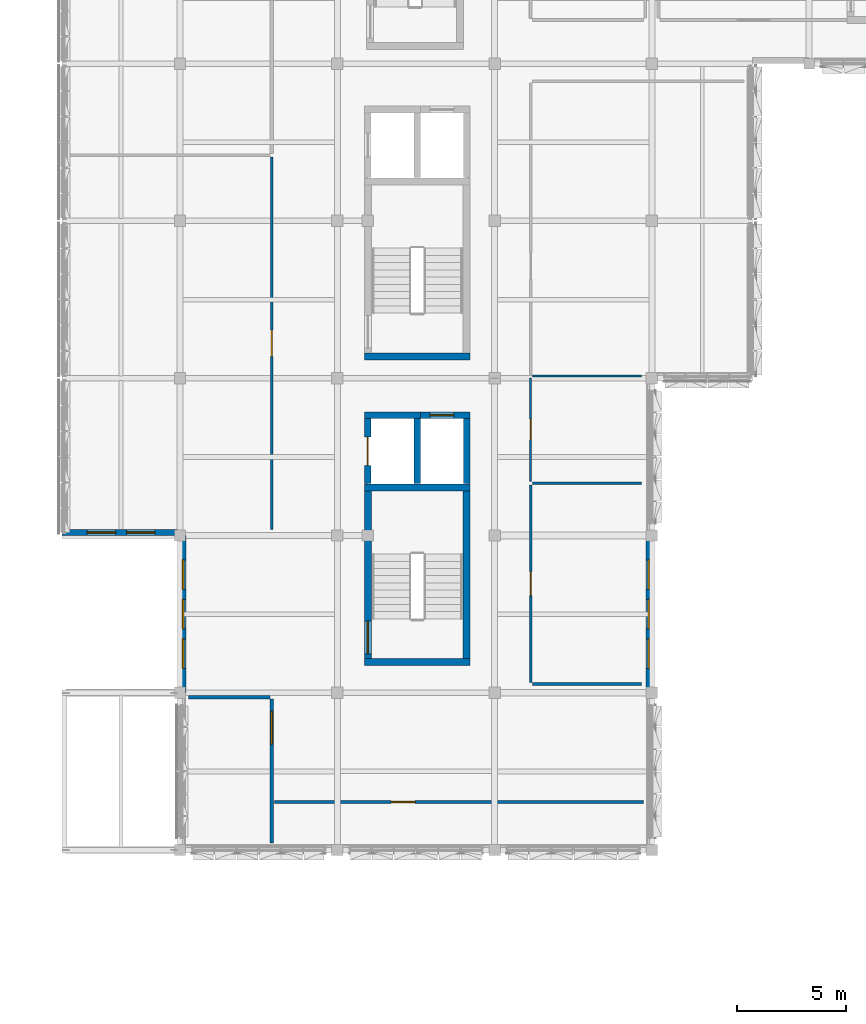
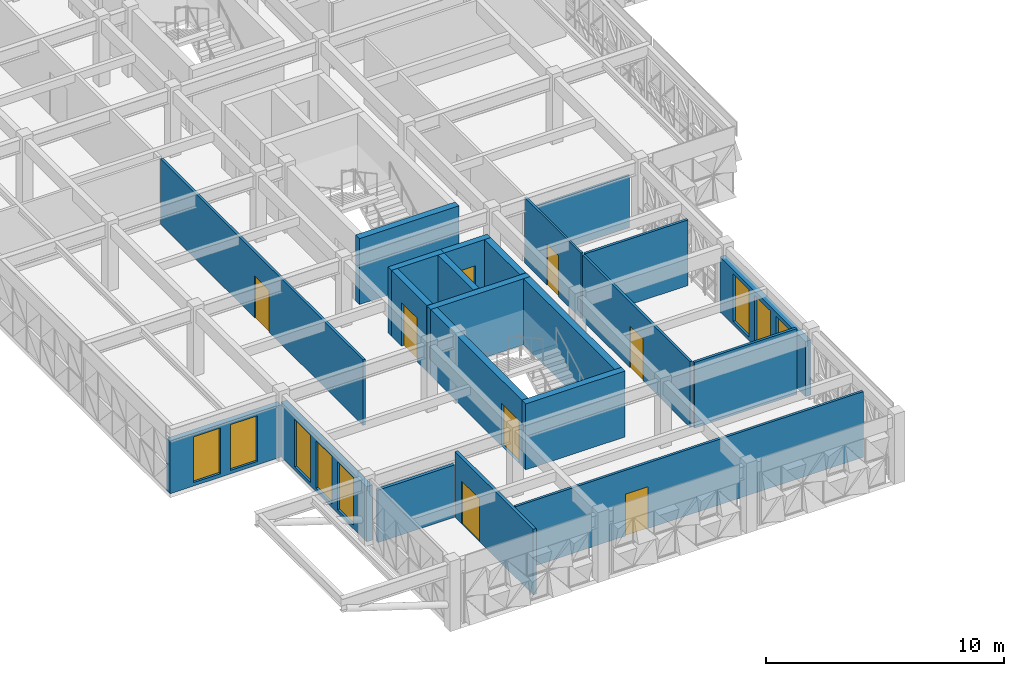
# One storey, part 30 of 48: 22 walls, 8 doors, 8 windows, 16 openings.
"""IFC4 building model written with IfcOpenShell, lengths in metres."""

from ifc_helpers import new_model, si_unit, direction, frame, frame_2d, origin, place, context, subcontext, project, spatial, rectangle, extrude, material, layer, layer_set, type_object, element, fill, save


model = new_model("IFC4")

# Units and contexts
model_context = context("Model", 3, precision=1e-05, world=origin(), true_north=direction((0.0, 1.0)))
body_context = subcontext(model_context, "Body", "Model", "MODEL_VIEW")
ifc_project = project(units=[si_unit("LENGTHUNIT", "METRE"), si_unit("AREAUNIT", "SQUARE_METRE"), si_unit("VOLUMEUNIT", "CUBIC_METRE"), si_unit("PLANEANGLEUNIT", "RADIAN"), si_unit("MASSUNIT", "GRAM", prefix="KILO")], contexts=[model_context])

# Site, building, storey
site_placement = place(None, origin())
site = spatial("IfcSite", under=ifc_project, at=site_placement, CompositionType="ELEMENT")
building_placement = place(site_placement, origin())
building = spatial("IfcBuilding", under=site, at=building_placement, Name="Alvorim Cloister Faculty of Sciences", CompositionType="ELEMENT")
storey_placement = place(building_placement, frame((0.0, 0.0, 19.35009765625)))
storey = spatial("IfcBuildingStorey", under=building, at=storey_placement, Name="L05", CompositionType="ELEMENT", Elevation=19.35009765625)

# Wall, openings, windows
ifc_material_1 = material(Name="Cross-Laminated Timber CLT C24", Category="wood")
ifc_layer_1 = layer(ifc_material_1, 0.280029296875)
ifc_layer_set_1 = layer_set([ifc_layer_1], Name="Cross-Laminated Timber CLT C24")
wall_type_1 = type_object("IfcWallType", Name="WL-EXT-TMB-280", PredefinedType="SOLIDWALL", material=ifc_layer_set_1)
wall_1_placement = place(storey_placement, frame((7.340087890625, 14.39990234375, 0.0), z_axis=(0.0, 0.0, 1.0), x_axis=(0.0, 1.0, 0.0)))
wall_1 = element("IfcWall", 1, at=wall_1_placement, inside=storey, type_object=wall_type_1, Name="L05 Exterior Wall WL-0231", PredefinedType="SOLIDWALL", context=body_context, shape_type="SweptSolid", body=[
    extrude(rectangle(XDim=7.2001953125, YDim=0.280029296875, at=frame_2d((3.60009765625, 0.0))), origin(), (0.0, 0.0, 1.0), 2.83984375),
])
opening_1_placement = place(wall_1_placement, frame((1.112548828125, 0.0, 0.179931640625)))
opening_1 = element("IfcOpeningElement", 2, at=opening_1_placement, cuts=wall_1, Name="Opening W-18", PredefinedType="OPENING", context=body_context, shape_type="SweptSolid", body=[
    extrude(rectangle(XDim=1.35009765625, YDim=2.449951171875, at=frame_2d((0.675048828125, 1.22509765625))), frame((0.0, 0.15185546875, 0.0), z_axis=(0.0, -1.0, 0.0), x_axis=(1.0, 0.0, 0.0)), (0.0, 0.0, 1.0), 0.303955078125),
])
opening_2_placement = place(wall_1_placement, frame((2.925048828125, 0.0, 0.179931640625)))
opening_2 = element("IfcOpeningElement", 3, at=opening_2_placement, cuts=wall_1, Name="Opening W-18", PredefinedType="OPENING", context=body_context, shape_type="SweptSolid", body=[
    extrude(rectangle(XDim=1.35009765625, YDim=2.449951171875, at=frame_2d((0.675048828125, 1.22509765625))), frame((0.0, 0.15185546875, 0.0), z_axis=(0.0, -1.0, 0.0), x_axis=(1.0, 0.0, 0.0)), (0.0, 0.0, 1.0), 0.303955078125),
])
opening_3_placement = place(wall_1_placement, frame((4.737548828125, 0.0, 0.179931640625)))
opening_3 = element("IfcOpeningElement", 4, at=opening_3_placement, cuts=wall_1, Name="Opening W-18", PredefinedType="OPENING", context=body_context, shape_type="SweptSolid", body=[
    extrude(rectangle(XDim=1.35009765625, YDim=2.449951171875, at=frame_2d((0.675048828125, 1.22509765625))), frame((0.0, 0.15185546875, 0.0), z_axis=(0.0, -1.0, 0.0), x_axis=(1.0, 0.0, 0.0)), (0.0, 0.0, 1.0), 0.303955078125),
])
ifc_material_2 = material(Name="Double Low-E Laminated Glass", Category="glass")
window_type_1 = type_object("IfcWindowType", Name="WN-LAB-1350x2450", PartitioningType="SINGLE_PANEL", PredefinedType="WINDOW", material=ifc_material_2)
window_1_placement = place(opening_1_placement, origin())
window_1 = element("IfcWindow", 5, at=window_1_placement, inside=storey, type_object=window_type_1, Name="L05 Full-Height Entrance Atrium Glazed Bay WN-0253", OverallHeight=2.449951171875, OverallWidth=1.35009765625, PartitioningType="SINGLE_PANEL", PredefinedType="WINDOW", context=body_context, shape_type="SweptSolid", body=[
    extrude(rectangle(XDim=1.35009765625, YDim=2.449951171875, at=frame_2d((0.675048828125, 1.22509765625))), frame((0.0, 0.030029296875, 0.0), z_axis=(0.0, -1.0, 0.0), x_axis=(1.0, 0.0, 0.0)), (0.0, 0.0, 1.0), 0.06005859375),
])
fill(opening_1, window_1)
window_2_placement = place(opening_2_placement, origin())
window_2 = element("IfcWindow", 6, at=window_2_placement, inside=storey, type_object=window_type_1, Name="L05 Full-Height Entrance Atrium Glazed Bay WN-0254", OverallHeight=2.449951171875, OverallWidth=1.35009765625, PartitioningType="SINGLE_PANEL", PredefinedType="WINDOW", context=body_context, shape_type="SweptSolid", body=[
    extrude(rectangle(XDim=1.35009765625, YDim=2.449951171875, at=frame_2d((0.675048828125, 1.22509765625))), frame((0.0, 0.030029296875, 0.0), z_axis=(0.0, -1.0, 0.0), x_axis=(1.0, 0.0, 0.0)), (0.0, 0.0, 1.0), 0.06005859375),
])
fill(opening_2, window_2)
window_3_placement = place(opening_3_placement, origin())
window_3 = element("IfcWindow", 7, at=window_3_placement, inside=storey, type_object=window_type_1, Name="L05 Full-Height Entrance Atrium Glazed Bay WN-0255", OverallHeight=2.449951171875, OverallWidth=1.35009765625, PartitioningType="SINGLE_PANEL", PredefinedType="WINDOW", context=body_context, shape_type="SweptSolid", body=[
    extrude(rectangle(XDim=1.35009765625, YDim=2.449951171875, at=frame_2d((0.675048828125, 1.22509765625))), frame((0.0, 0.030029296875, 0.0), z_axis=(0.0, -1.0, 0.0), x_axis=(1.0, 0.0, 0.0)), (0.0, 0.0, 1.0), 0.06005859375),
])
fill(opening_3, window_3)

wall_2_placement = place(storey_placement, frame((1.800048828125, 21.739990234375, 0.0), z_axis=(0.0, 0.0, 1.0), x_axis=(1.0, 0.0, 0.0)))
wall_2 = element("IfcWall", 8, at=wall_2_placement, inside=storey, type_object=wall_type_1, Name="L05 Exterior Wall WL-0232", PredefinedType="SOLIDWALL", context=body_context, shape_type="SweptSolid", body=[
    extrude(rectangle(XDim=5.39990234375, YDim=0.280029296875, at=frame_2d((2.699951171875, 0.0))), origin(), (0.0, 0.0, 1.0), 2.69580078125),
])
opening_4_placement = place(wall_2_placement, frame((1.14990234375, 0.0, 0.179931640625)))
opening_4 = element("IfcOpeningElement", 9, at=opening_4_placement, cuts=wall_2, Name="Opening W-21", PredefinedType="OPENING", context=body_context, shape_type="SweptSolid", body=[
    extrude(rectangle(XDim=1.300048828125, YDim=2.35009765625, at=frame_2d((0.64990234375, 1.175048828125))), frame((0.0, 0.15185546875, 0.0), z_axis=(0.0, -1.0, 0.0), x_axis=(1.0, 0.0, 0.0)), (0.0, 0.0, 1.0), 0.303955078125),
])
opening_5_placement = place(wall_2_placement, frame((2.949951171875, 0.0, 0.179931640625)))
opening_5 = element("IfcOpeningElement", 10, at=opening_5_placement, cuts=wall_2, Name="Opening W-21", PredefinedType="OPENING", context=body_context, shape_type="SweptSolid", body=[
    extrude(rectangle(XDim=1.300048828125, YDim=2.35009765625, at=frame_2d((0.64990234375, 1.175048828125))), frame((0.0, 0.15185546875, 0.0), z_axis=(0.0, -1.0, 0.0), x_axis=(1.0, 0.0, 0.0)), (0.0, 0.0, 1.0), 0.303955078125),
])
window_type_2 = type_object("IfcWindowType", Name="WN-OFF-1300x2350", PartitioningType="SINGLE_PANEL", PredefinedType="WINDOW", material=ifc_material_2)
window_4_placement = place(opening_4_placement, origin())
window_4 = element("IfcWindow", 11, at=window_4_placement, inside=storey, type_object=window_type_2, Name="L05 Full-Height Entrance Atrium Glazed Bay WN-0256", OverallHeight=2.35009765625, OverallWidth=1.300048828125, PartitioningType="SINGLE_PANEL", PredefinedType="WINDOW", context=body_context, shape_type="SweptSolid", body=[
    extrude(rectangle(XDim=1.300048828125, YDim=2.35009765625, at=frame_2d((0.64990234375, 1.175048828125))), frame((0.0, 0.030029296875, 0.0), z_axis=(0.0, -1.0, 0.0), x_axis=(1.0, 0.0, 0.0)), (0.0, 0.0, 1.0), 0.06005859375),
])
fill(opening_4, window_4)
window_5_placement = place(opening_5_placement, origin())
window_5 = element("IfcWindow", 12, at=window_5_placement, inside=storey, type_object=window_type_2, Name="L05 Full-Height Entrance Atrium Glazed Bay WN-0257", OverallHeight=2.35009765625, OverallWidth=1.300048828125, PartitioningType="SINGLE_PANEL", PredefinedType="WINDOW", context=body_context, shape_type="SweptSolid", body=[
    extrude(rectangle(XDim=1.300048828125, YDim=2.35009765625, at=frame_2d((0.64990234375, 1.175048828125))), frame((0.0, 0.030029296875, 0.0), z_axis=(0.0, -1.0, 0.0), x_axis=(1.0, 0.0, 0.0)), (0.0, 0.0, 1.0), 0.06005859375),
])
fill(opening_5, window_5)

wall_3_placement = place(storey_placement, frame((28.659912109375, 14.39990234375, 0.0), z_axis=(0.0, 0.0, 1.0), x_axis=(0.0, 1.0, 0.0)))
wall_3 = element("IfcWall", 13, at=wall_3_placement, inside=storey, type_object=wall_type_1, Name="L05 Exterior Wall WL-0234", PredefinedType="SOLIDWALL", context=body_context, shape_type="SweptSolid", body=[
    extrude(rectangle(XDim=7.2001953125, YDim=0.280029296875, at=frame_2d((3.60009765625, 0.0))), origin(), (0.0, 0.0, 1.0), 2.83984375),
])
opening_6_placement = place(wall_3_placement, frame((1.112548828125, 0.0, 0.179931640625)))
opening_6 = element("IfcOpeningElement", 14, at=opening_6_placement, cuts=wall_3, Name="Opening W-18", PredefinedType="OPENING", context=body_context, shape_type="SweptSolid", body=[
    extrude(rectangle(XDim=1.35009765625, YDim=2.449951171875, at=frame_2d((0.675048828125, 1.22509765625))), frame((0.0, 0.15185546875, 0.0), z_axis=(0.0, -1.0, 0.0), x_axis=(1.0, 0.0, 0.0)), (0.0, 0.0, 1.0), 0.303955078125),
])
opening_7_placement = place(wall_3_placement, frame((2.925048828125, 0.0, 0.179931640625)))
opening_7 = element("IfcOpeningElement", 15, at=opening_7_placement, cuts=wall_3, Name="Opening W-18", PredefinedType="OPENING", context=body_context, shape_type="SweptSolid", body=[
    extrude(rectangle(XDim=1.35009765625, YDim=2.449951171875, at=frame_2d((0.675048828125, 1.22509765625))), frame((0.0, 0.15185546875, 0.0), z_axis=(0.0, -1.0, 0.0), x_axis=(1.0, 0.0, 0.0)), (0.0, 0.0, 1.0), 0.303955078125),
])
opening_8_placement = place(wall_3_placement, frame((4.737548828125, 0.0, 0.179931640625)))
opening_8 = element("IfcOpeningElement", 16, at=opening_8_placement, cuts=wall_3, Name="Opening W-18", PredefinedType="OPENING", context=body_context, shape_type="SweptSolid", body=[
    extrude(rectangle(XDim=1.35009765625, YDim=2.449951171875, at=frame_2d((0.675048828125, 1.22509765625))), frame((0.0, 0.15185546875, 0.0), z_axis=(0.0, -1.0, 0.0), x_axis=(1.0, 0.0, 0.0)), (0.0, 0.0, 1.0), 0.303955078125),
])
window_6_placement = place(opening_6_placement, origin())
window_6 = element("IfcWindow", 17, at=window_6_placement, inside=storey, type_object=window_type_1, Name="L05 Full-Height Entrance Atrium Glazed Bay WN-0258", OverallHeight=2.449951171875, OverallWidth=1.35009765625, PartitioningType="SINGLE_PANEL", PredefinedType="WINDOW", context=body_context, shape_type="SweptSolid", body=[
    extrude(rectangle(XDim=1.35009765625, YDim=2.449951171875, at=frame_2d((0.675048828125, 1.22509765625))), frame((0.0, 0.030029296875, 0.0), z_axis=(0.0, -1.0, 0.0), x_axis=(1.0, 0.0, 0.0)), (0.0, 0.0, 1.0), 0.06005859375),
])
fill(opening_6, window_6)
window_7_placement = place(opening_7_placement, origin())
window_7 = element("IfcWindow", 18, at=window_7_placement, inside=storey, type_object=window_type_1, Name="L05 Full-Height Entrance Atrium Glazed Bay WN-0259", OverallHeight=2.449951171875, OverallWidth=1.35009765625, PartitioningType="SINGLE_PANEL", PredefinedType="WINDOW", context=body_context, shape_type="SweptSolid", body=[
    extrude(rectangle(XDim=1.35009765625, YDim=2.449951171875, at=frame_2d((0.675048828125, 1.22509765625))), frame((0.0, 0.030029296875, 0.0), z_axis=(0.0, -1.0, 0.0), x_axis=(1.0, 0.0, 0.0)), (0.0, 0.0, 1.0), 0.06005859375),
])
fill(opening_7, window_7)
window_8_placement = place(opening_8_placement, origin())
window_8 = element("IfcWindow", 19, at=window_8_placement, inside=storey, type_object=window_type_1, Name="L05 Full-Height Entrance Atrium Glazed Bay WN-0260", OverallHeight=2.449951171875, OverallWidth=1.35009765625, PartitioningType="SINGLE_PANEL", PredefinedType="WINDOW", context=body_context, shape_type="SweptSolid", body=[
    extrude(rectangle(XDim=1.35009765625, YDim=2.449951171875, at=frame_2d((0.675048828125, 1.22509765625))), frame((0.0, 0.030029296875, 0.0), z_axis=(0.0, -1.0, 0.0), x_axis=(1.0, 0.0, 0.0)), (0.0, 0.0, 1.0), 0.06005859375),
])
fill(opening_8, window_8)

# Wall, opening, door
ifc_material_3 = material(Name="Moisture-Resistant Tile Stud Partition", Category="gypsum")
ifc_layer_2 = layer(ifc_material_3, 0.10009765625)
ifc_layer_set_2 = layer_set([ifc_layer_2], Name="Moisture-Resistant Tile Stud Partition")
wall_type_2 = type_object("IfcWallType", Name="WL-PRT-100", PredefinedType="PARTITIONING", material=ifc_layer_set_2)
wall_4_placement = place(storey_placement, frame((23.25, 24.080078125, 0.0), z_axis=(0.0, 0.0, 1.0), x_axis=(0.0, 1.0, 0.0)))
wall_4 = element("IfcWall", 20, at=wall_4_placement, inside=storey, type_object=wall_type_2, Name="L05 L05 Accessible WCs Partition IWL-0656", PredefinedType="PARTITIONING", context=body_context, shape_type="SweptSolid", body=[
    extrude(rectangle(XDim=4.739990234375, YDim=0.10009765625, at=frame_2d((2.3701171875, 0.0))), origin(), (0.0, 0.0, 1.0), 3.375),
])
opening_9_placement = place(wall_4_placement, frame((1.89501953125, 0.0, 0.0)))
opening_9 = element("IfcOpeningElement", 21, at=opening_9_placement, cuts=wall_4, Name="Opening D-L05-189", PredefinedType="OPENING", context=body_context, shape_type="SweptSolid", body=[
    extrude(rectangle(XDim=0.949951171875, YDim=2.10009765625, at=frame_2d((0.47509765625, 1.050048828125))), frame((0.0, 0.06201171875, 0.0), z_axis=(0.0, -1.0, 0.0), x_axis=(1.0, 0.0, 0.0)), (0.0, 0.0, 1.0), 0.1240234375),
])
ifc_material_4 = material(Name="Moisture-Resistant Laminate Timber", Category="wood")
door_type_1 = type_object("IfcDoorType", Name="DR-WC-950x2100", OperationType="NOTDEFINED", PredefinedType="DOOR", material=ifc_material_4)
door_1_placement = place(opening_9_placement, origin())
door_1 = element("IfcDoor", 22, at=door_1_placement, inside=storey, type_object=door_type_1, Name="L05 Accessible WCs Door D-L05-189", OperationType="SINGLE_SWING_LEFT", OverallHeight=2.10009765625, OverallWidth=0.949951171875, PredefinedType="DOOR", context=body_context, shape_type="SweptSolid", body=[
    extrude(rectangle(XDim=0.949951171875, YDim=2.10009765625, at=frame_2d((0.47509765625, 1.050048828125))), frame((0.0, 0.02490234375, 0.0), z_axis=(0.0, -1.0, 0.0), x_axis=(1.0, 0.0, 0.0)), (0.0, 0.0, 1.0), 0.050048828125),
])
fill(opening_9, door_1)

# Wall
wall_5_placement = place(storey_placement, frame((23.330078125, 28.89990234375, 0.0), z_axis=(0.0, 0.0, 1.0), x_axis=(1.0, 0.0, 0.0)))
element("IfcWall", 23, at=wall_5_placement, inside=storey, type_object=wall_type_2, Name="L05 L05 Accessible WCs Partition IWL-0657", PredefinedType="PARTITIONING", context=body_context, shape_type="SweptSolid", body=[
    extrude(rectangle(XDim=4.989990234375, YDim=0.10009765625, at=frame_2d((2.4951171875, 0.0))), origin(), (0.0, 0.0, 1.0), 2.69091796875),
])

# Wall, opening, door
ifc_material_5 = material(Name="Acoustic Gypsum Stud Partition", Category="gypsum")
ifc_layer_3 = layer(ifc_material_5, 0.1201171875)
ifc_layer_set_3 = layer_set([ifc_layer_3], Name="Acoustic Gypsum Stud Partition")
wall_type_3 = type_object("IfcWallType", Name="WL-PRT-120", PredefinedType="PARTITIONING", material=ifc_layer_set_3)
wall_6_placement = place(storey_placement, frame((11.514892578125, 9.39990234375, 0.0), z_axis=(0.0, 0.0, 1.0), x_axis=(1.0, 0.0, 0.0)))
wall_6 = element("IfcWall", 24, at=wall_6_placement, inside=storey, type_object=wall_type_3, Name="L05 South Bar Faculty Study Rooms Partition IWL-0649", PredefinedType="PARTITIONING", context=body_context, shape_type="SweptSolid", body=[
    extrude(rectangle(XDim=16.905029296875, YDim=0.1201171875, at=frame_2d((8.45263671875, 0.0))), origin(), (0.0, 0.0, 1.0), 3.375),
])
opening_10_placement = place(wall_6_placement, frame((5.347412109375, 0.0, 0.0)))
opening_10 = element("IfcOpeningElement", 25, at=opening_10_placement, cuts=wall_6, Name="Opening D-L05-185", PredefinedType="OPENING", context=body_context, shape_type="SweptSolid", body=[
    extrude(rectangle(XDim=1.10009765625, YDim=2.14990234375, at=frame_2d((0.550048828125, 1.074951171875))), frame((0.0, 0.072021484375, 0.0), z_axis=(0.0, -1.0, 0.0), x_axis=(1.0, 0.0, 0.0)), (0.0, 0.0, 1.0), 0.14404296875),
])
ifc_material_6 = material(Name="Solid Acoustic Oak Timber", Category="wood")
door_type_2 = type_object("IfcDoorType", Name="DR-OFF-1100x2150", OperationType="NOTDEFINED", PredefinedType="DOOR", material=ifc_material_6)
door_2_placement = place(opening_10_placement, origin())
door_2 = element("IfcDoor", 26, at=door_2_placement, inside=storey, type_object=door_type_2, Name="South Bar Faculty Study Rooms Door D-L05-185", OperationType="SINGLE_SWING_RIGHT", OverallHeight=2.14990234375, OverallWidth=1.10009765625, PredefinedType="DOOR", context=body_context, shape_type="SweptSolid", body=[
    extrude(rectangle(XDim=1.10009765625, YDim=2.14990234375, at=frame_2d((0.550048828125, 1.074951171875))), frame((0.0, 0.02490234375, 0.0), z_axis=(0.0, -1.0, 0.0), x_axis=(1.0, 0.0, 0.0)), (0.0, 0.0, 1.0), 0.050048828125),
])
fill(opening_10, door_2)

wall_7_placement = place(storey_placement, frame((11.39990234375, 21.8798828125, 0.0), z_axis=(0.0, 0.0, 1.0), x_axis=(0.0, 1.0, 0.0)))
wall_7 = element("IfcWall", 27, at=wall_7_placement, inside=storey, type_object=wall_type_3, Name="L05 Cantilevered Theoretical Physics Studio Partition IWL-0650", PredefinedType="PARTITIONING", context=body_context, shape_type="SweptSolid", body=[
    extrude(rectangle(XDim=17.0400390625, YDim=0.1201171875, at=frame_2d((8.52001953125, 0.0))), origin(), (0.0, 0.0, 1.0), 3.375),
])
opening_11_placement = place(wall_7_placement, frame((7.919921875, 0.0, 0.0)))
opening_11 = element("IfcOpeningElement", 28, at=opening_11_placement, cuts=wall_7, Name="Opening D-L05-186", PredefinedType="OPENING", context=body_context, shape_type="SweptSolid", body=[
    extrude(rectangle(XDim=1.199951171875, YDim=2.14990234375, at=frame_2d((0.60009765625, 1.074951171875))), frame((0.0, 0.072021484375, 0.0), z_axis=(0.0, -1.0, 0.0), x_axis=(1.0, 0.0, 0.0)), (0.0, 0.0, 1.0), 0.14404296875),
])
door_type_3 = type_object("IfcDoorType", Name="DR-SEM-1200x2150", OperationType="NOTDEFINED", PredefinedType="DOOR", material=ifc_material_6)
door_3_placement = place(opening_11_placement, origin())
door_3 = element("IfcDoor", 29, at=door_3_placement, inside=storey, type_object=door_type_3, Name="Cantilevered Theoretical Physics Studio Door D-L05-186", OperationType="SINGLE_SWING_LEFT", OverallHeight=2.14990234375, OverallWidth=1.199951171875, PredefinedType="DOOR", context=body_context, shape_type="SweptSolid", body=[
    extrude(rectangle(XDim=1.199951171875, YDim=2.14990234375, at=frame_2d((0.60009765625, 1.074951171875))), frame((0.0, 0.02490234375, 0.0), z_axis=(0.0, -1.0, 0.0), x_axis=(1.0, 0.0, 0.0)), (0.0, 0.0, 1.0), 0.050048828125),
])
fill(opening_11, door_3)

wall_8_placement = place(storey_placement, frame((23.25, 14.8798828125, 0.0), z_axis=(0.0, 0.0, 1.0), x_axis=(0.0, 1.0, 0.0)))
wall_8 = element("IfcWall", 30, at=wall_8_placement, inside=storey, type_object=wall_type_3, Name="L05 Physics Faculty Offices South Partition IWL-0653", PredefinedType="PARTITIONING", context=body_context, shape_type="SweptSolid", body=[
    extrude(rectangle(XDim=9.0400390625, YDim=0.1201171875, at=frame_2d((4.52001953125, 0.0))), origin(), (0.0, 0.0, 1.0), 3.375),
])
opening_12_placement = place(wall_8_placement, frame((3.969970703125, 0.0, 0.0)))
opening_12 = element("IfcOpeningElement", 31, at=opening_12_placement, cuts=wall_8, Name="Opening D-L05-188", PredefinedType="OPENING", context=body_context, shape_type="SweptSolid", body=[
    extrude(rectangle(XDim=1.10009765625, YDim=2.14990234375, at=frame_2d((0.550048828125, 1.074951171875))), frame((0.0, 0.072021484375, 0.0), z_axis=(0.0, -1.0, 0.0), x_axis=(1.0, 0.0, 0.0)), (0.0, 0.0, 1.0), 0.14404296875),
])
door_4_placement = place(opening_12_placement, origin())
door_4 = element("IfcDoor", 32, at=door_4_placement, inside=storey, type_object=door_type_2, Name="Physics Faculty Offices South Door D-L05-188", OperationType="SINGLE_SWING_RIGHT", OverallHeight=2.14990234375, OverallWidth=1.10009765625, PredefinedType="DOOR", context=body_context, shape_type="SweptSolid", body=[
    extrude(rectangle(XDim=1.10009765625, YDim=2.14990234375, at=frame_2d((0.550048828125, 1.074951171875))), frame((0.0, 0.02490234375, 0.0), z_axis=(0.0, -1.0, 0.0), x_axis=(1.0, 0.0, 0.0)), (0.0, 0.0, 1.0), 0.050048828125),
])
fill(opening_12, door_4)

# Walls
for number, where, z_axis, x_axis, name in (
    (33, (23.330078125, 14.800048828125, 0.0), (0.0, 0.0, 1.0), (1.0, 0.0, 0.0), "L05 Physics Faculty Offices South Partition IWL-0654"),
    (34, (23.330078125, 24.0, 0.0), (0.0, 0.0, 1.0), (1.0, 0.0, 0.0), "L05 Physics Faculty Offices South Partition IWL-0655"),
):
    element("IfcWall", number, at=place(storey_placement, frame(where, z_axis=z_axis, x_axis=x_axis)), inside=storey, type_object=wall_type_3, Name=name, PredefinedType="PARTITIONING", context=body_context, shape_type="SweptSolid", body=[
        extrude(rectangle(XDim=4.989990234375, YDim=0.1201171875, at=frame_2d((2.4951171875, 0.0))), origin(), (0.0, 0.0, 1.0), 3.375),
    ])

# Wall, opening, door
ifc_material_7 = material(Name="Gypsum Fireboard Stud Partition", Category="gypsum")
ifc_layer_4 = layer(ifc_material_7, 0.14990234375)
ifc_layer_set_4 = layer_set([ifc_layer_4], Name="Gypsum Fireboard Stud Partition")
wall_type_4 = type_object("IfcWallType", Name="WL-PRT-150", PredefinedType="PARTITIONING", material=ifc_layer_set_4)
wall_9_placement = place(storey_placement, frame((11.39990234375, 7.530029296875, 0.0), z_axis=(0.0, 0.0, 1.0), x_axis=(0.0, 1.0, 0.0)))
wall_9 = element("IfcWall", 35, at=wall_9_placement, inside=storey, type_object=wall_type_4, Name="L05 South Bar Analytical Spectroscopy Lab Partition IWL-0647", PredefinedType="PARTITIONING", context=body_context, shape_type="SweptSolid", body=[
    extrude(rectangle(XDim=6.590087890625, YDim=0.14990234375, at=frame_2d((3.294921875, 0.0))), origin(), (0.0, 0.0, 1.0), 3.375),
])
opening_13_placement = place(wall_9_placement, frame((4.52001953125, 0.0, 0.0)))
opening_13 = element("IfcOpeningElement", 36, at=opening_13_placement, cuts=wall_9, Name="Opening D-L05-184", PredefinedType="OPENING", context=body_context, shape_type="SweptSolid", body=[
    extrude(rectangle(XDim=1.5, YDim=2.199951171875, at=frame_2d((0.75, 1.10009765625))), frame((0.0, 0.0869140625, 0.0), z_axis=(0.0, -1.0, 0.0), x_axis=(1.0, 0.0, 0.0)), (0.0, 0.0, 1.0), 0.173828125),
])
ifc_material_8 = material(Name="Fire-Rated Laminate Timber", Category="wood")
door_type_4 = type_object("IfcDoorType", Name="DR-LAB-1500x2200", OperationType="NOTDEFINED", PredefinedType="DOOR", material=ifc_material_8)
door_5_placement = place(opening_13_placement, origin())
door_5 = element("IfcDoor", 37, at=door_5_placement, inside=storey, type_object=door_type_4, Name="South Bar Analytical Spectroscopy Lab Door D-L05-184", OperationType="DOUBLE_DOOR_SINGLE_SWING", OverallHeight=2.199951171875, OverallWidth=1.5, PredefinedType="DOOR", context=body_context, shape_type="SweptSolid", body=[
    extrude(rectangle(XDim=1.5, YDim=2.199951171875, at=frame_2d((0.75, 1.10009765625))), frame((0.0, 0.02490234375, 0.0), z_axis=(0.0, -1.0, 0.0), x_axis=(1.0, 0.0, 0.0)), (0.0, 0.0, 1.0), 0.050048828125),
])
fill(opening_13, door_5)

# Walls
wall_10_placement = place(storey_placement, frame((7.580078125, 14.199951171875, 0.0), z_axis=(0.0, 0.0, 1.0), x_axis=(1.0, 0.0, 0.0)))
element("IfcWall", 38, at=wall_10_placement, inside=storey, type_object=wall_type_4, Name="L05 South Bar Analytical Spectroscopy Lab Partition IWL-0648", PredefinedType="PARTITIONING", context=body_context, shape_type="SweptSolid", body=[
    extrude(rectangle(XDim=3.739990234375, YDim=0.14990234375, at=frame_2d((1.8701171875, 0.0))), origin(), (0.0, 0.0, 1.0), 2.69091796875),
])
ifc_material_9 = material(Name="Concrete C40", Category="concrete")
ifc_layer_5 = layer(ifc_material_9, 0.300048828125)
ifc_layer_set_5 = layer_set([ifc_layer_5], Name="Concrete C40")
wall_type_5 = type_object("IfcWallType", Name="WL-SHR-300", PredefinedType="SHEAR", material=ifc_layer_set_5)
wall_11_placement = place(storey_placement, frame((15.64990234375, 27.10009765625, 0.0), z_axis=(0.0, 0.0, 1.0), x_axis=(1.0, 0.0, 0.0)))
element("IfcWall", 39, at=wall_11_placement, inside=storey, type_object=wall_type_5, Name="L05 Lift LF-01 Shaft Wall IWL-0251", PredefinedType="SHEAR", context=body_context, shape_type="SweptSolid", body=[
    extrude(rectangle(XDim=2.56005859375, YDim=0.300048828125, at=frame_2d((1.280029296875, 0.0))), origin(), (0.0, 0.0, 1.0), 3.389892578125),
])

# Wall, opening, door
wall_12_placement = place(storey_placement, frame((15.800048828125, 23.97998046875, 0.0), z_axis=(0.0, 0.0, 1.0), x_axis=(0.0, 1.0, 0.0)))
wall_12 = element("IfcWall", 40, at=wall_12_placement, inside=storey, type_object=wall_type_5, Name="L05 Lift LF-01 Shaft Wall IWL-0252", PredefinedType="SHEAR", context=body_context, shape_type="SweptSolid", body=[
    extrude(rectangle(XDim=2.969970703125, YDim=0.300048828125, at=frame_2d((1.48486328125, 0.0))), origin(), (0.0, 0.0, 1.0), 3.389892578125),
])
opening_14_placement = place(wall_12_placement, frame((0.8349609375, 0.0, 0.0)))
opening_14 = element("IfcOpeningElement", 41, at=opening_14_placement, cuts=wall_12, Name="Opening LD-007", PredefinedType="OPENING", context=body_context, shape_type="SweptSolid", body=[
    extrude(rectangle(XDim=1.300048828125, YDim=2.25, at=frame_2d((0.64990234375, 1.125))), frame((0.0, 0.162109375, 0.0), z_axis=(0.0, -1.0, 0.0), x_axis=(1.0, 0.0, 0.0)), (0.0, 0.0, 1.0), 0.323974609375),
])
ifc_material_10 = material(Name="Brushed Stainless Steel", Category="steel")
door_type_5 = type_object("IfcDoorType", Name="DR-LFT-1300x2250", OperationType="NOTDEFINED", PredefinedType="DOOR", material=ifc_material_10)
door_6_placement = place(opening_14_placement, origin())
door_6 = element("IfcDoor", 42, at=door_6_placement, inside=storey, type_object=door_type_5, Name="L05 Lift LF-01 Sliding Landing Door LD-007", OperationType="DOUBLE_DOOR_SLIDING", OverallHeight=2.25, OverallWidth=1.300048828125, PredefinedType="DOOR", context=body_context, shape_type="SweptSolid", body=[
    extrude(rectangle(XDim=1.300048828125, YDim=2.25, at=frame_2d((0.64990234375, 1.125))), frame((0.0, 0.02490234375, 0.0), z_axis=(0.0, -1.0, 0.0), x_axis=(1.0, 0.0, 0.0)), (0.0, 0.0, 1.0), 0.050048828125),
])
fill(opening_14, door_6)

# Wall
wall_13_placement = place(storey_placement, frame((18.06005859375, 23.97998046875, 0.0), z_axis=(0.0, 0.0, 1.0), x_axis=(0.0, 1.0, 0.0)))
element("IfcWall", 43, at=wall_13_placement, inside=storey, type_object=wall_type_5, Name="L05 Lift LF-01 Shaft Wall IWL-0253", PredefinedType="SHEAR", context=body_context, shape_type="SweptSolid", body=[
    extrude(rectangle(XDim=2.969970703125, YDim=0.300048828125, at=frame_2d((1.48486328125, 0.0))), origin(), (0.0, 0.0, 1.0), 3.389892578125),
])

# Wall, opening, door
wall_14_placement = place(storey_placement, frame((17.909912109375, 27.10009765625, 0.0), z_axis=(0.0, 0.0, 1.0), x_axis=(1.0, 0.0, 0.0)))
wall_14 = element("IfcWall", 44, at=wall_14_placement, inside=storey, type_object=wall_type_5, Name="L05 Lift LP-01 Shaft Wall IWL-0278", PredefinedType="SHEAR", context=body_context, shape_type="SweptSolid", body=[
    extrude(rectangle(XDim=2.56005859375, YDim=0.300048828125, at=frame_2d((1.280029296875, 0.0))), origin(), (0.0, 0.0, 1.0), 3.389892578125),
])
opening_15_placement = place(wall_14_placement, frame((0.72998046875, 0.0, 0.0)))
opening_15 = element("IfcOpeningElement", 45, at=opening_15_placement, cuts=wall_14, Name="Opening LD-018", PredefinedType="OPENING", context=body_context, shape_type="SweptSolid", body=[
    extrude(rectangle(XDim=1.10009765625, YDim=2.199951171875, at=frame_2d((0.550048828125, 1.10009765625))), frame((0.0, 0.162109375, 0.0), z_axis=(0.0, -1.0, 0.0), x_axis=(1.0, 0.0, 0.0)), (0.0, 0.0, 1.0), 0.323974609375),
])
door_type_6 = type_object("IfcDoorType", Name="DR-LFT-1100x2200", OperationType="NOTDEFINED", PredefinedType="DOOR", material=ifc_material_10)
door_7_placement = place(opening_15_placement, origin())
door_7 = element("IfcDoor", 46, at=door_7_placement, inside=storey, type_object=door_type_6, Name="L05 Lift LP-01 Sliding Landing Door LD-018", OperationType="DOUBLE_DOOR_SLIDING", OverallHeight=2.199951171875, OverallWidth=1.10009765625, PredefinedType="DOOR", context=body_context, shape_type="SweptSolid", body=[
    extrude(rectangle(XDim=1.10009765625, YDim=2.199951171875, at=frame_2d((0.550048828125, 1.10009765625))), frame((0.0, 0.02490234375, 0.0), z_axis=(0.0, -1.0, 0.0), x_axis=(1.0, 0.0, 0.0)), (0.0, 0.0, 1.0), 0.050048828125),
])
fill(opening_15, door_7)

# Walls
wall_15_placement = place(storey_placement, frame((20.320068359375, 23.97998046875, 0.0), z_axis=(0.0, 0.0, 1.0), x_axis=(0.0, 1.0, 0.0)))
element("IfcWall", 47, at=wall_15_placement, inside=storey, type_object=wall_type_5, Name="L05 Lift LP-01 Shaft Wall IWL-0279", PredefinedType="SHEAR", context=body_context, shape_type="SweptSolid", body=[
    extrude(rectangle(XDim=2.969970703125, YDim=0.300048828125, at=frame_2d((1.48486328125, 0.0))), origin(), (0.0, 0.0, 1.0), 3.389892578125),
])
ifc_layer_6 = layer(ifc_material_9, 0.320068359375)
ifc_layer_set_6 = layer_set([ifc_layer_6], Name="Concrete C40")
wall_type_6 = type_object("IfcWallType", Name="WL-SHR-320", PredefinedType="SHEAR", material=ifc_layer_set_6)
for number, where, z_axis, x_axis, name in (
    (48, (15.639892578125, 15.800048828125, 0.0), (0.0, 0.0, 1.0), (1.0, 0.0, 0.0), "L05 CORE K1 Shear Wall IWL-0025"),
    (49, (15.639892578125, 23.800048828125, 0.0), (0.0, 0.0, 1.0), (1.0, 0.0, 0.0), "L05 CORE K1 Shear Wall IWL-0026"),
):
    element("IfcWall", number, at=place(storey_placement, frame(where, z_axis=z_axis, x_axis=x_axis)), inside=storey, type_object=wall_type_6, Name=name, PredefinedType="SHEAR", context=body_context, shape_type="SweptSolid", body=[
        extrude(rectangle(XDim=4.840087890625, YDim=0.320068359375, at=frame_2d((2.419921875, 0.0))), origin(), (0.0, 0.0, 1.0), 3.389892578125),
    ])

# Wall, opening, door
wall_16_placement = place(storey_placement, frame((15.800048828125, 15.9599609375, 0.0), z_axis=(0.0, 0.0, 1.0), x_axis=(0.0, 1.0, 0.0)))
wall_16 = element("IfcWall", 50, at=wall_16_placement, inside=storey, type_object=wall_type_6, Name="L05 CORE K1 Shear Wall IWL-0027", PredefinedType="SHEAR", context=body_context, shape_type="SweptSolid", body=[
    extrude(rectangle(XDim=7.679931640625, YDim=0.320068359375, at=frame_2d((3.83984375, 0.0))), origin(), (0.0, 0.0, 1.0), 3.389892578125),
])
opening_16_placement = place(wall_16_placement, frame((0.219970703125, 0.0, 0.0)))
opening_16 = element("IfcOpeningElement", 51, at=opening_16_placement, cuts=wall_16, Name="Opening SD-K1-L05", PredefinedType="OPENING", context=body_context, shape_type="SweptSolid", body=[
    extrude(rectangle(XDim=1.5, YDim=2.199951171875, at=frame_2d((0.75, 1.10009765625))), frame((0.0, 0.171875, 0.0), z_axis=(0.0, -1.0, 0.0), x_axis=(1.0, 0.0, 0.0)), (0.0, 0.0, 1.0), 0.343994140625),
])
ifc_material_11 = material(Name="Galvanised Fire-Rated Steel", Category="steel")
door_type_7 = type_object("IfcDoorType", Name="DR-STR-1500x2200", OperationType="NOTDEFINED", PredefinedType="DOOR", material=ifc_material_11)
door_8_placement = place(opening_16_placement, origin())
door_8 = element("IfcDoor", 52, at=door_8_placement, inside=storey, type_object=door_type_7, Name="L05 Stair ST-01 Fire Door SD-K1-L05", OperationType="DOUBLE_DOOR_SINGLE_SWING", OverallHeight=2.199951171875, OverallWidth=1.5, PredefinedType="DOOR", context=body_context, shape_type="SweptSolid", body=[
    extrude(rectangle(XDim=1.5, YDim=2.199951171875, at=frame_2d((0.75, 1.10009765625))), frame((0.0, 0.02490234375, 0.0), z_axis=(0.0, -1.0, 0.0), x_axis=(1.0, 0.0, 0.0)), (0.0, 0.0, 1.0), 0.050048828125),
])
fill(opening_16, door_8)

# Walls
wall_17_placement = place(storey_placement, frame((20.320068359375, 15.9599609375, 0.0), z_axis=(0.0, 0.0, 1.0), x_axis=(0.0, 1.0, 0.0)))
element("IfcWall", 53, at=wall_17_placement, inside=storey, type_object=wall_type_6, Name="L05 CORE K1 Shear Wall IWL-0028", PredefinedType="SHEAR", context=body_context, shape_type="SweptSolid", body=[
    extrude(rectangle(XDim=7.679931640625, YDim=0.320068359375, at=frame_2d((3.83984375, 0.0))), origin(), (0.0, 0.0, 1.0), 3.389892578125),
])
wall_18_placement = place(storey_placement, frame((15.639892578125, 29.800048828125, 0.0), z_axis=(0.0, 0.0, 1.0), x_axis=(1.0, 0.0, 0.0)))
element("IfcWall", 54, at=wall_18_placement, inside=storey, type_object=wall_type_6, Name="L05 CORE K2 Shear Wall IWL-0069", PredefinedType="SHEAR", context=body_context, shape_type="SweptSolid", body=[
    extrude(rectangle(XDim=4.840087890625, YDim=0.320068359375, at=frame_2d((2.419921875, 0.0))), origin(), (0.0, 0.0, 1.0), 3.389892578125),
])

save(model, "model.ifc")
